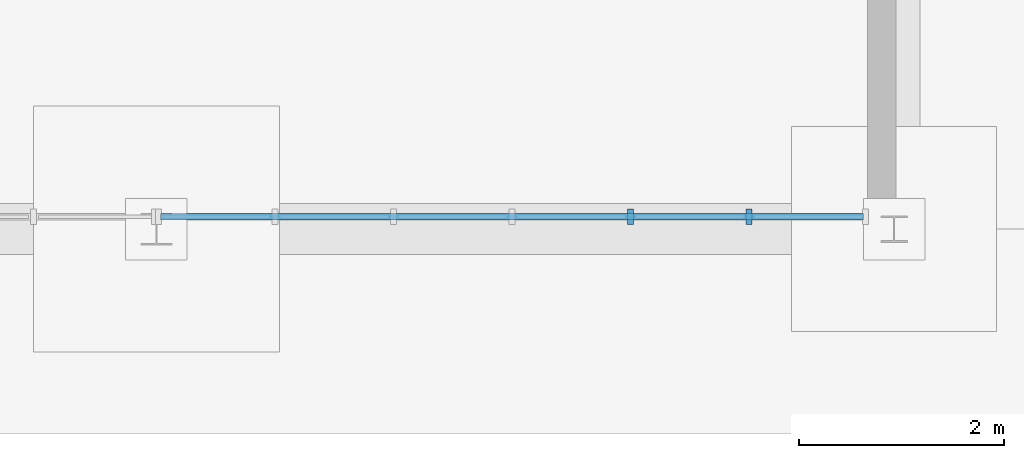
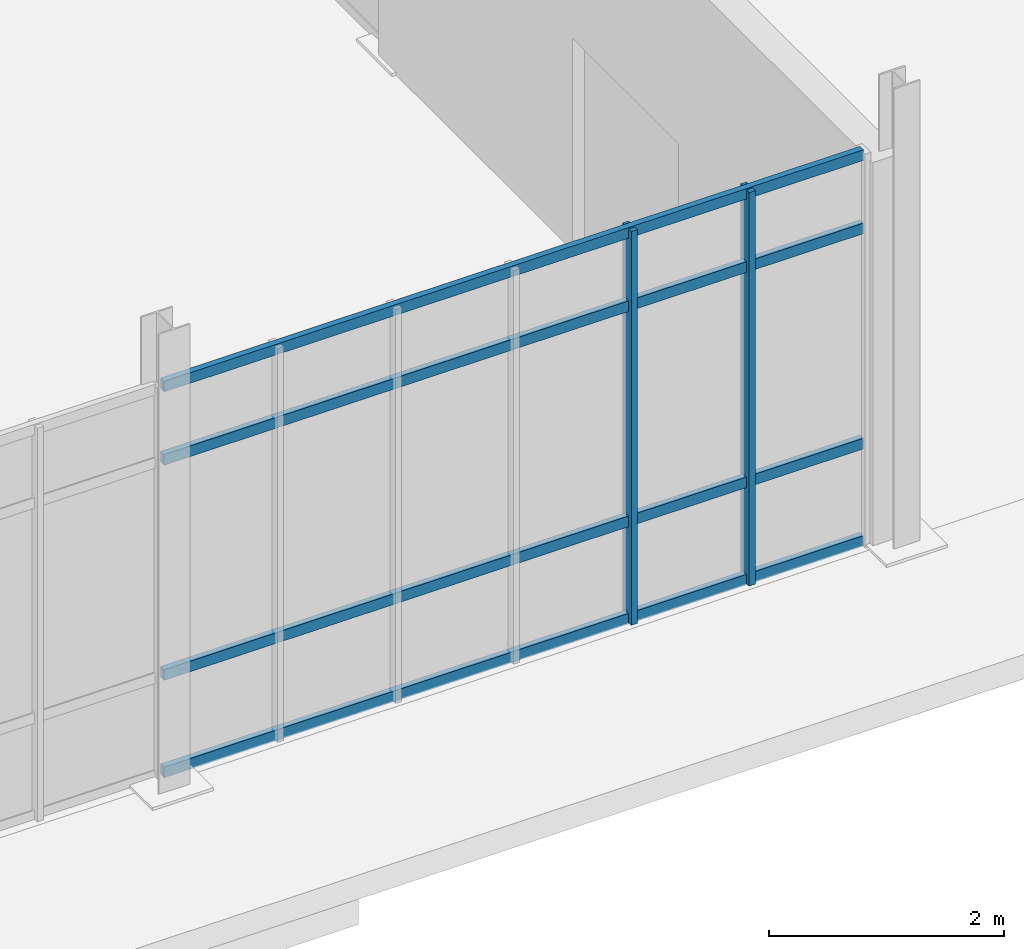
# One storey, part 47 of 118: 6 members, 1 element without a shape of its own.
"""IFC4 building model written with IfcOpenShell, lengths in metres."""

import ifcopenshell
import ifcopenshell.guid

model = None  # the IFC model being written
_history = None  # IfcOwnerHistory: only IFC2X3 demands one
_inside = {}  # id of a spatial element -> (the spatial element, [elements in it])
_under = {}  # id of a project, library or spatial element -> (it, [spatial elements below it])
_declared = {}  # id of a project -> (the project, [libraries it declares])
_typed = {}  # id of a type object -> (the type object, [elements of that type])
_made_of = {}  # id of a material, layer set ... -> (it, [elements and type objects made of it])


def new_model(schema):
    """Start an empty IFC model of exactly this schema.

    Asked for "IFC4X3", IfcOpenShell would pick the latest addendum, in which some entities
    have other attributes; the version numbers below select the first issue.
    IFC2X3 requires an IfcOwnerHistory on every rooted entity: one is made here for all.
    """
    global model, _history
    if schema == "IFC4X3":
        model = ifcopenshell.file(schema_version=(4, 3, 0, 0))
    else:
        model = ifcopenshell.file(schema=schema)
    _inside.clear()
    _under.clear()
    _declared.clear()
    _typed.clear()
    _made_of.clear()
    _history = None
    if model.schema == "IFC2X3":
        org = make("IfcOrganization", Name="unknown")
        user = make(
            "IfcPersonAndOrganization",
            ThePerson=make("IfcPerson", FamilyName="unknown"),
            TheOrganization=org,
        )
        app = make(
            "IfcApplication",
            ApplicationDeveloper=org,
            Version="unknown",
            ApplicationFullName="unknown",
            ApplicationIdentifier="unknown",
        )
        _history = make(
            "IfcOwnerHistory",
            OwningUser=user,
            OwningApplication=app,
            ChangeAction="ADDED",
            CreationDate=0,
        )
    return model


def make(cls, **values):
    """One entity of the class cls with the attributes given. An attribute that is None is left unset."""
    return model.create_entity(
        cls, **{name: value for name, value in values.items() if value is not None}
    )


def rooted(cls, **values):
    """An entity with a GlobalId (a new one), such as an element, a storey or a relation."""
    return make(cls, GlobalId=ifcopenshell.guid.new(), OwnerHistory=_history, **values)


def si_unit(unit_type, name, prefix=None):
    """IfcSIUnit, for example si_unit("LENGTHUNIT", "METRE", prefix="MILLI")."""
    return make("IfcSIUnit", UnitType=unit_type, Prefix=prefix, Name=name)


def assignment(units):
    """IfcUnitAssignment: the units of a project."""
    return None if units is None else make("IfcUnitAssignment", Units=units)


def point(xyz):
    """IfcCartesianPoint."""
    return None if xyz is None else make("IfcCartesianPoint", Coordinates=xyz)


def direction(xyz):
    """IfcDirection."""
    return None if xyz is None else make("IfcDirection", DirectionRatios=xyz)


def frame(location, z_axis=None, x_axis=None):
    """IfcAxis2Placement3D, a coordinate frame: its origin and axes. An axis left out is left unset."""
    return make(
        "IfcAxis2Placement3D",
        Location=point(location),
        Axis=direction(z_axis),
        RefDirection=direction(x_axis),
    )


def frame_2d(location, x_axis=None):
    """IfcAxis2Placement2D, a coordinate frame in the plane: its origin and x axis."""
    return make(
        "IfcAxis2Placement2D", Location=point(location), RefDirection=direction(x_axis)
    )


def origin():
    """The frame at (0, 0, 0) with its axes left unset."""
    return frame((0.0, 0.0, 0.0))


def origin_2d():
    """The frame at (0, 0) in the plane with its x axis left unset."""
    return frame_2d((0.0, 0.0))


def place(relative_to, where):
    """IfcLocalPlacement: puts the frame where relative to a parent placement (None: the world)."""
    return make(
        "IfcLocalPlacement", PlacementRelTo=relative_to, RelativePlacement=where
    )


def context(
    kind, dimensions, precision=None, world=None, true_north=None, identifier=None
):
    """IfcGeometricRepresentationContext, for example the 3D "Model" context."""
    return make(
        "IfcGeometricRepresentationContext",
        ContextIdentifier=identifier,
        ContextType=kind,
        CoordinateSpaceDimension=dimensions,
        Precision=precision,
        WorldCoordinateSystem=world,
        TrueNorth=true_north,
    )


def subcontext(parent, identifier, kind, view, scale=None):
    """IfcGeometricRepresentationSubContext, for example "Body" below "Model"."""
    return make(
        "IfcGeometricRepresentationSubContext",
        ContextIdentifier=identifier,
        ContextType=kind,
        ParentContext=parent,
        TargetScale=scale,
        TargetView=view,
    )


def project(units=None, contexts=None):
    """IfcProject with its units and contexts."""
    return rooted(
        "IfcProject",
        Name="project",
        RepresentationContexts=contexts,
        UnitsInContext=assignment(units),
    )


def spatial(cls, under=None, at=None, **own):
    """A site, building, storey or space (cls), placed at a placement, below another one or the project."""
    s = rooted(cls, ObjectPlacement=at, **own)
    if under is not None:
        _under.setdefault(under.id(), (under, []))[1].append(s)
    return s


def profile(cls, at=None, kind="AREA", **sizes):
    """A parametric profile (cls). Its sizes go by their IFC names, for example OverallWidth=200.0."""
    return make(cls, ProfileType=kind, Position=at, **sizes)


def rectangle(**sizes):
    """IfcRectangleProfileDef."""
    return profile("IfcRectangleProfileDef", **sizes)


def extrude(swept, where, along, depth):
    """IfcExtrudedAreaSolid: the profile swept, set in the frame where, extruded along a direction by depth."""
    return make(
        "IfcExtrudedAreaSolid",
        SweptArea=swept,
        Position=where,
        ExtrudedDirection=direction(along),
        Depth=depth,
    )


def shape(context_of_items, identifier, shape_type, items):
    """IfcShapeRepresentation: the items that make up one representation, for example the "Body"."""
    return make(
        "IfcShapeRepresentation",
        ContextOfItems=context_of_items,
        RepresentationIdentifier=identifier,
        RepresentationType=shape_type,
        Items=items,
    )


def material(Name=None, Category=None):
    """IfcMaterial."""
    return make("IfcMaterial", Name=Name, Category=Category)


def material_profile(
    of_material, cross_section, Name=None, Category=None, Priority=None
):
    """IfcMaterialProfile: a cross section and its material."""
    return make(
        "IfcMaterialProfile",
        Name=Name,
        Material=of_material,
        Profile=cross_section,
        Priority=Priority,
        Category=Category,
    )


def profile_set(profiles, Name=None, composite=None):
    """IfcMaterialProfileSet."""
    return make(
        "IfcMaterialProfileSet",
        Name=Name,
        MaterialProfiles=profiles,
        CompositeProfile=composite,
    )


def made_of(thing, what):
    """Note that an element or type object is made of a material, layer set ...; save() writes the relation."""
    if what is not None:
        _made_of.setdefault(what.id(), (what, []))[1].append(thing)
    return thing


def type_object(cls, material=None, **own):
    """A type object (cls), such as IfcWallType, which elements share."""
    return made_of(rooted(cls, **own), material)


def element(
    cls,
    number,
    at=None,
    inside=None,
    cuts=None,
    type_object=None,
    material=None,
    context=None,
    identifier="Body",
    shape_type=None,
    held_by="IfcProductDefinitionShape",
    body=None,
    shapes=None,
    **own,
):
    """One element of the class cls, such as IfcWall. Its Tag is "e" and its number.

    at: its placement. inside: the storey or other place that contains it. cuts: it is an
    opening in that element (IfcRelVoidsElement). A single representation is given by context,
    identifier, shape_type and body (its items); several are given by shapes. held_by: the class
    of the entity that holds the representations. save() writes the other relations.
    """
    e = rooted(cls, Tag="e%d" % number, ObjectPlacement=at, **own)
    if body is not None:
        shapes = [shape(context, identifier, shape_type, body)]
    if shapes is not None:
        e.Representation = make(held_by, Representations=shapes)
    if inside is not None:
        _inside.setdefault(inside.id(), (inside, []))[1].append(e)
    if cuts is not None:
        rooted(
            "IfcRelVoidsElement", RelatingBuildingElement=cuts, RelatedOpeningElement=e
        )
    if type_object is not None:
        _typed.setdefault(type_object.id(), (type_object, []))[1].append(e)
    return made_of(e, material)


def aggregate(whole, parts):
    """IfcRelAggregates: a whole, such as a stair, and the parts it consists of."""
    return rooted("IfcRelAggregates", RelatingObject=whole, RelatedObjects=parts)


def save(model, path):
    """Write the relations noted so far, then the file.

    IfcRelAggregates (storeys below a building ...), IfcRelContainedInSpatialStructure (elements
    in a storey), IfcRelDefinesByType, IfcRelAssociatesMaterial and IfcRelDeclares: one each for
    every whole, place, type object, material and project.
    """
    for whole, parts in _under.values():
        aggregate(whole, parts)
    for where, things in _inside.values():
        rooted(
            "IfcRelContainedInSpatialStructure",
            RelatedElements=things,
            RelatingStructure=where,
        )
    for kind, things in _typed.values():
        rooted("IfcRelDefinesByType", RelatedObjects=things, RelatingType=kind)
    for what, things in _made_of.values():
        rooted("IfcRelAssociatesMaterial", RelatedObjects=things, RelatingMaterial=what)
    for by, libraries in _declared.values():
        rooted("IfcRelDeclares", RelatingContext=by, RelatedDefinitions=libraries)
    model.write(path)


model = new_model("IFC4")

# Units and contexts
model_context = context("Model", 3, precision=1e-05, world=origin(), true_north=direction((0.0, 1.0)))
body_context = subcontext(model_context, "Body", "Model", "MODEL_VIEW")
ifc_project = project(units=[si_unit("LENGTHUNIT", "METRE"), si_unit("AREAUNIT", "SQUARE_METRE"), si_unit("VOLUMEUNIT", "CUBIC_METRE"), si_unit("PLANEANGLEUNIT", "RADIAN"), si_unit("MASSUNIT", "GRAM", prefix="KILO")], contexts=[model_context])

# Site, building, storey
site_placement = place(None, origin())
site = spatial("IfcSite", under=ifc_project, at=site_placement, CompositionType="ELEMENT")
building_placement = place(site_placement, origin())
building = spatial("IfcBuilding", under=site, at=building_placement, Name="Qelthora Terrace Specialist Clinic", CompositionType="ELEMENT")
storey_placement = place(building_placement, origin())
storey = spatial("IfcBuildingStorey", under=building, at=storey_placement, Name="L00", CompositionType="ELEMENT", Elevation=0.0)

# Curtain wall, members
ifc_material = material(Name="Aluminium anodized bronze", Category="aluminium")
curtain_wall_type = type_object("IfcCurtainWallType", Name="CW-CONS-X", PredefinedType="NOTDEFINED", material=ifc_material)
curtain_wall_placement = place(storey_placement, origin())
curtain_wall = element("IfcCurtainWall", 1, at=curtain_wall_placement, inside=storey, type_object=curtain_wall_type, Name="Curtain wall CW-L00-210", PredefinedType="NOTDEFINED")
ifc_material_profile_1 = material_profile(ifc_material, rectangle(XDim=0.06005859375, YDim=0.14990234375, at=origin_2d()), Name="CWM60X150")
ifc_profile_set_1 = profile_set([ifc_material_profile_1], Name="Aluminium anodized bronze")
member_type_1 = type_object("IfcMemberType", Name="CWM-60X150", PredefinedType="MULLION", material=ifc_profile_set_1)
member_1_placement = place(storey_placement, frame((155.82666015625, 0.1201171875, 0.0), z_axis=(0.0, 0.0, 1.0), x_axis=(1.0, 0.0, 0.0)))
member_1 = element("IfcMember", 2, at=member_1_placement, type_object=member_type_1, Name="CW-L00-210 mullion 5", PredefinedType="MULLION", context=body_context, shape_type="SweptSolid", body=[
    extrude(rectangle(XDim=0.06005859375, YDim=0.14990234375, at=origin_2d()), origin(), (0.0, 0.0, 1.0), 4.08203125),
])
member_2_placement = place(storey_placement, frame((156.9833984375, 0.1201171875, 0.0), z_axis=(0.0, 0.0, 1.0), x_axis=(1.0, 0.0, 0.0)))
member_2 = element("IfcMember", 3, at=member_2_placement, type_object=member_type_1, Name="CW-L00-210 mullion 6", PredefinedType="MULLION", context=body_context, shape_type="SweptSolid", body=[
    extrude(rectangle(XDim=0.06005859375, YDim=0.14990234375, at=origin_2d()), origin(), (0.0, 0.0, 1.0), 4.08203125),
])
ifc_material_profile_2 = material_profile(ifc_material, rectangle(XDim=0.06005859375, YDim=0.110107421875, at=origin_2d()), Name="CWT60X110")
ifc_profile_set_2 = profile_set([ifc_material_profile_2], Name="Aluminium anodized bronze")
member_type_2 = type_object("IfcMemberType", Name="CWT-60X110", PredefinedType="USERDEFINED", material=ifc_profile_set_2)
member_3_placement = place(storey_placement, frame((151.239990234375, 0.1201171875, 0.0400390625), z_axis=(1.0, 0.0, 0.0), x_axis=(0.0, 1.0, 0.0)))
member_3 = element("IfcMember", 4, at=member_3_placement, type_object=member_type_2, Name="CW-L00-210 transom 1", ObjectType="TRANSOM", PredefinedType="USERDEFINED", context=body_context, shape_type="SweptSolid", body=[
    extrude(rectangle(XDim=0.06005859375, YDim=0.110107421875, at=origin_2d()), origin(), (0.0, 0.0, 1.0), 6.860107421875),
])
member_4_placement = place(storey_placement, frame((151.239990234375, 0.1201171875, 1.050048828125), z_axis=(1.0, 0.0, 0.0), x_axis=(0.0, 1.0, 0.0)))
member_4 = element("IfcMember", 5, at=member_4_placement, type_object=member_type_2, Name="CW-L00-210 transom 2", ObjectType="TRANSOM", PredefinedType="USERDEFINED", context=body_context, shape_type="SweptSolid", body=[
    extrude(rectangle(XDim=0.06005859375, YDim=0.110107421875, at=origin_2d()), origin(), (0.0, 0.0, 1.0), 6.860107421875),
])
member_5_placement = place(storey_placement, frame((151.239990234375, 0.1201171875, 3.281982421875), z_axis=(1.0, 0.0, 0.0), x_axis=(0.0, 1.0, 0.0)))
member_5 = element("IfcMember", 6, at=member_5_placement, type_object=member_type_2, Name="CW-L00-210 transom 3", ObjectType="TRANSOM", PredefinedType="USERDEFINED", context=body_context, shape_type="SweptSolid", body=[
    extrude(rectangle(XDim=0.06005859375, YDim=0.110107421875, at=origin_2d()), origin(), (0.0, 0.0, 1.0), 6.860107421875),
])
member_6_placement = place(storey_placement, frame((151.239990234375, 0.1201171875, 4.0419921875), z_axis=(1.0, 0.0, 0.0), x_axis=(0.0, 1.0, 0.0)))
member_6 = element("IfcMember", 7, at=member_6_placement, type_object=member_type_2, Name="CW-L00-210 transom 4", ObjectType="TRANSOM", PredefinedType="USERDEFINED", context=body_context, shape_type="SweptSolid", body=[
    extrude(rectangle(XDim=0.06005859375, YDim=0.110107421875, at=origin_2d()), origin(), (0.0, 0.0, 1.0), 6.860107421875),
])
aggregate(curtain_wall, [member_1, member_2, member_3, member_4, member_5, member_6])

save(model, "model.ifc")
